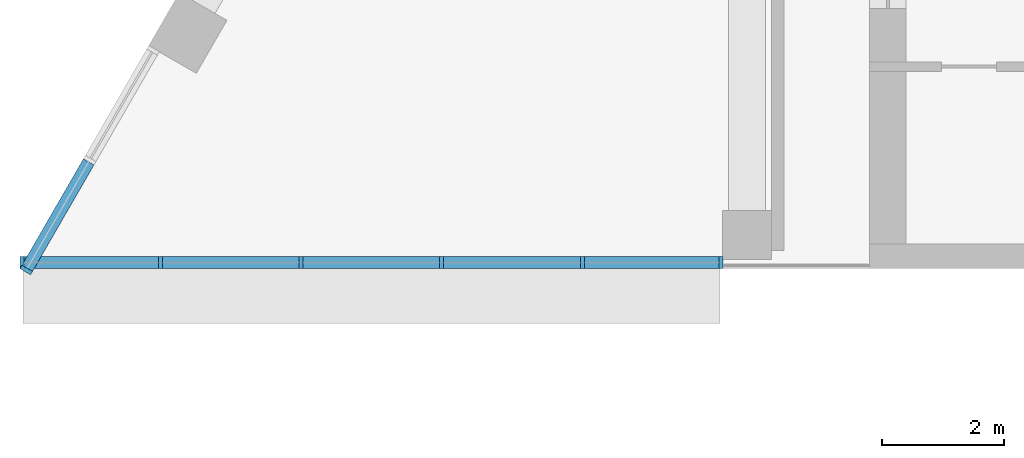
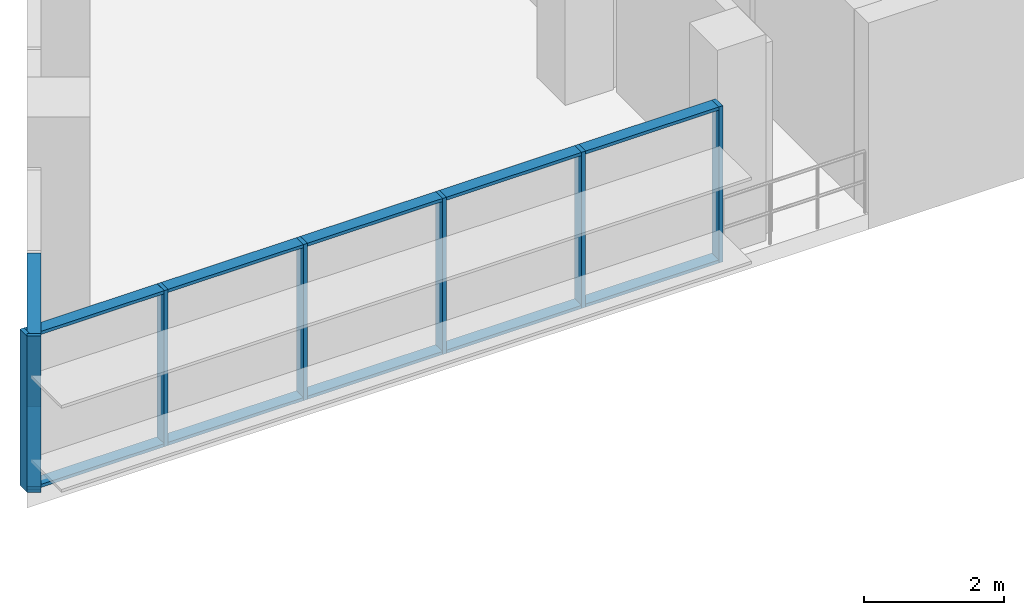
# One storey, part 3 of 15: 19 members, 2 elements without a shape of their own.
"""IFC4 building model written with IfcOpenShell, lengths in metres."""

from ifc_helpers import new_model, si_unit, direction, frame, origin, origin_2d, place, context, subcontext, project, spatial, rectangle, extrude, material, layer, layer_set, material_profile, profile_set, type_object, element, aggregate, save


model = new_model("IFC4")

# Units and contexts
model_context = context("Model", 3, precision=1e-05, world=origin(), true_north=direction((0.0, 1.0)))
body_context = subcontext(model_context, "Body", "Model", "MODEL_VIEW")
ifc_project = project(units=[si_unit("LENGTHUNIT", "METRE"), si_unit("AREAUNIT", "SQUARE_METRE"), si_unit("VOLUMEUNIT", "CUBIC_METRE"), si_unit("PLANEANGLEUNIT", "RADIAN"), si_unit("MASSUNIT", "GRAM", prefix="KILO")], contexts=[model_context])

# Site, building, storey
site_placement = place(None, origin())
site = spatial("IfcSite", under=ifc_project, at=site_placement, CompositionType="ELEMENT")
building_placement = place(site_placement, origin())
building = spatial("IfcBuilding", under=site, at=building_placement, Name="Nakaniwa Court", CompositionType="ELEMENT")
storey_placement = place(building_placement, frame((0.0, 0.0, 283.199951171875)))
storey = spatial("IfcBuildingStorey", under=building, at=storey_placement, Name="C04", CompositionType="ELEMENT", Elevation=283.199951171875)

# Curtain wall, member
ifc_material_1 = material(Name="Black anodised aluminium frame with dark low-E laminated double glazing", Category="aluminium")
ifc_layer = layer(ifc_material_1, 0.199951171875)
ifc_layer_set = layer_set([ifc_layer], Name="Black anodised aluminium frame with dark low-E laminated double glazing")
curtain_wall_type = type_object("IfcCurtainWallType", Name="Crown curtain wall", PredefinedType="NOTDEFINED", material=ifc_layer_set)
curtain_wall_1_placement = place(storey_placement, origin())
curtain_wall_1 = element("IfcCurtainWall", 1, at=curtain_wall_1_placement, inside=storey, type_object=curtain_wall_type, Name="C04 curtain wall CW4 15", PredefinedType="NOTDEFINED")
ifc_material_2 = material(Name="Black anodised aluminium extrusion", Category="aluminium")
ifc_material_profile_1 = material_profile(ifc_material_2, rectangle(XDim=0.199951171875, YDim=0.06494140625, at=origin_2d()), Name="Crown curtain wall mullion 65x200")
ifc_profile_set_1 = profile_set([ifc_material_profile_1], Name="Black anodised aluminium extrusion")
member_type_1 = type_object("IfcMemberType", Name="Crown curtain wall mullion 65x200", PredefinedType="MULLION", material=ifc_profile_set_1)
member_1_placement = place(storey_placement, frame((58.22119140625, 87.378173828125, 0.0), z_axis=(0.0, 0.0, 1.0), x_axis=(0.866021000852, -0.500007626024, 0.0)))
member_1 = element("IfcMember", 2, at=member_1_placement, type_object=member_type_1, Name="CW4 mullion 3", PredefinedType="MULLION", context=body_context, shape_type="SweptSolid", body=[
    extrude(rectangle(XDim=0.199951171875, YDim=0.06494140625, at=origin_2d()), origin(), (0.0, 0.0, 1.0), 2.72509765625),
])

# Curtain wall, members
curtain_wall_2_placement = place(storey_placement, origin())
curtain_wall_2 = element("IfcCurtainWall", 3, at=curtain_wall_2_placement, inside=storey, type_object=curtain_wall_type, Name="C04 curtain wall CW4 16", PredefinedType="NOTDEFINED")
member_2_placement = place(storey_placement, frame((58.15087890625, 87.5, 0.0), z_axis=(0.0, 0.0, 1.0), x_axis=(0.0, 1.0, 0.0)))
member_2 = element("IfcMember", 4, at=member_2_placement, type_object=member_type_1, Name="CW4 mullion 1", PredefinedType="MULLION", context=body_context, shape_type="SweptSolid", body=[
    extrude(rectangle(XDim=0.199951171875, YDim=0.06494140625, at=origin_2d()), origin(), (0.0, 0.0, 1.0), 2.72509765625),
])
member_3_placement = place(storey_placement, frame((60.41552734375, 87.5, 0.0), z_axis=(0.0, 0.0, 1.0), x_axis=(0.0, 1.0, 0.0)))
member_3 = element("IfcMember", 5, at=member_3_placement, type_object=member_type_1, Name="CW4 mullion 2", PredefinedType="MULLION", context=body_context, shape_type="SweptSolid", body=[
    extrude(rectangle(XDim=0.199951171875, YDim=0.06494140625, at=origin_2d()), origin(), (0.0, 0.0, 1.0), 2.72509765625),
])
member_4_placement = place(storey_placement, frame((62.712646484375, 87.5, 0.0), z_axis=(0.0, 0.0, 1.0), x_axis=(0.0, 1.0, 0.0)))
member_4 = element("IfcMember", 6, at=member_4_placement, type_object=member_type_1, Name="CW4 mullion 3", PredefinedType="MULLION", context=body_context, shape_type="SweptSolid", body=[
    extrude(rectangle(XDim=0.199951171875, YDim=0.06494140625, at=origin_2d()), origin(), (0.0, 0.0, 1.0), 2.72509765625),
])
member_5_placement = place(storey_placement, frame((65.009765625, 87.5, 0.0), z_axis=(0.0, 0.0, 1.0), x_axis=(0.0, 1.0, 0.0)))
member_5 = element("IfcMember", 7, at=member_5_placement, type_object=member_type_1, Name="CW4 mullion 4", PredefinedType="MULLION", context=body_context, shape_type="SweptSolid", body=[
    extrude(rectangle(XDim=0.199951171875, YDim=0.06494140625, at=origin_2d()), origin(), (0.0, 0.0, 1.0), 2.72509765625),
])
member_6_placement = place(storey_placement, frame((67.306884765625, 87.5, 0.0), z_axis=(0.0, 0.0, 1.0), x_axis=(0.0, 1.0, 0.0)))
member_6 = element("IfcMember", 8, at=member_6_placement, type_object=member_type_1, Name="CW4 mullion 5", PredefinedType="MULLION", context=body_context, shape_type="SweptSolid", body=[
    extrude(rectangle(XDim=0.199951171875, YDim=0.06494140625, at=origin_2d()), origin(), (0.0, 0.0, 1.0), 2.72509765625),
])
member_7_placement = place(storey_placement, frame((69.571533203125, 87.5, 0.0), z_axis=(0.0, 0.0, 1.0), x_axis=(0.0, 1.0, 0.0)))
member_7 = element("IfcMember", 9, at=member_7_placement, type_object=member_type_1, Name="CW4 mullion 6", PredefinedType="MULLION", context=body_context, shape_type="SweptSolid", body=[
    extrude(rectangle(XDim=0.199951171875, YDim=0.06494140625, at=origin_2d()), origin(), (0.0, 0.0, 1.0), 2.72509765625),
])

# Member
ifc_material_profile_2 = material_profile(ifc_material_2, rectangle(XDim=0.199951171875, YDim=0.054931640625, at=origin_2d()), Name="Crown curtain wall transom 55x200")
ifc_profile_set_2 = profile_set([ifc_material_profile_2], Name="Black anodised aluminium extrusion")
member_type_2 = type_object("IfcMemberType", Name="Crown curtain wall transom 55x200", PredefinedType="USERDEFINED", material=ifc_profile_set_2)
member_8_placement = place(storey_placement, frame((59.240966796875, 89.14453125, 0.027587890625), z_axis=(-0.499933044277, -0.866064057238, 0.0), x_axis=(0.866064057238, -0.499933044277, 0.0)))
member_8 = element("IfcMember", 10, at=member_8_placement, type_object=member_type_2, Name="CW4 transom 2.1", ObjectType="TRANSOM", PredefinedType="USERDEFINED", context=body_context, shape_type="SweptSolid", body=[
    extrude(rectangle(XDim=0.199951171875, YDim=0.054931640625, at=origin_2d()), origin(), (0.0, 0.0, 1.0), 2.007080078125),
])

member_9_placement = place(storey_placement, frame((59.240966796875, 89.14453125, 2.697509765625), z_axis=(-0.499933044277, -0.866064057238, 0.0), x_axis=(0.866064057238, -0.499933044277, 0.0)))
member_9 = element("IfcMember", 11, at=member_9_placement, type_object=member_type_2, Name="CW4 transom 2.2", ObjectType="TRANSOM", PredefinedType="USERDEFINED", context=body_context, shape_type="SweptSolid", body=[
    extrude(rectangle(XDim=0.199951171875, YDim=0.054931640625, at=origin_2d()), origin(), (0.0, 0.0, 1.0), 2.007080078125),
])

aggregate(curtain_wall_1, [member_1, member_8, member_9])

member_10_placement = place(storey_placement, frame((58.183349609375, 87.5, 0.027587890625), z_axis=(1.0, 0.0, 0.0), x_axis=(0.0, 1.0, 0.0)))
member_10 = element("IfcMember", 12, at=member_10_placement, type_object=member_type_2, Name="CW4 transom 1.1", ObjectType="TRANSOM", PredefinedType="USERDEFINED", context=body_context, shape_type="SweptSolid", body=[
    extrude(rectangle(XDim=0.199951171875, YDim=0.054931640625, at=origin_2d()), origin(), (0.0, 0.0, 1.0), 2.19970703125),
])

member_11_placement = place(storey_placement, frame((58.183349609375, 87.5, 2.697509765625), z_axis=(1.0, 0.0, 0.0), x_axis=(0.0, 1.0, 0.0)))
member_11 = element("IfcMember", 13, at=member_11_placement, type_object=member_type_2, Name="CW4 transom 1.2", ObjectType="TRANSOM", PredefinedType="USERDEFINED", context=body_context, shape_type="SweptSolid", body=[
    extrude(rectangle(XDim=0.199951171875, YDim=0.054931640625, at=origin_2d()), origin(), (0.0, 0.0, 1.0), 2.19970703125),
])

member_12_placement = place(storey_placement, frame((60.447998046875, 87.5, 0.027587890625), z_axis=(1.0, 0.0, 0.0), x_axis=(0.0, 1.0, 0.0)))
member_12 = element("IfcMember", 14, at=member_12_placement, type_object=member_type_2, Name="CW4 transom 2.1", ObjectType="TRANSOM", PredefinedType="USERDEFINED", context=body_context, shape_type="SweptSolid", body=[
    extrude(rectangle(XDim=0.199951171875, YDim=0.054931640625, at=origin_2d()), origin(), (0.0, 0.0, 1.0), 2.232177734375),
])

member_13_placement = place(storey_placement, frame((60.447998046875, 87.5, 2.697509765625), z_axis=(1.0, 0.0, 0.0), x_axis=(0.0, 1.0, 0.0)))
member_13 = element("IfcMember", 15, at=member_13_placement, type_object=member_type_2, Name="CW4 transom 2.2", ObjectType="TRANSOM", PredefinedType="USERDEFINED", context=body_context, shape_type="SweptSolid", body=[
    extrude(rectangle(XDim=0.199951171875, YDim=0.054931640625, at=origin_2d()), origin(), (0.0, 0.0, 1.0), 2.232177734375),
])

member_14_placement = place(storey_placement, frame((62.7451171875, 87.5, 0.027587890625), z_axis=(1.0, 0.0, 0.0), x_axis=(0.0, 1.0, 0.0)))
member_14 = element("IfcMember", 16, at=member_14_placement, type_object=member_type_2, Name="CW4 transom 3.1", ObjectType="TRANSOM", PredefinedType="USERDEFINED", context=body_context, shape_type="SweptSolid", body=[
    extrude(rectangle(XDim=0.199951171875, YDim=0.054931640625, at=origin_2d()), origin(), (0.0, 0.0, 1.0), 2.232177734375),
])

member_15_placement = place(storey_placement, frame((62.7451171875, 87.5, 2.697509765625), z_axis=(1.0, 0.0, 0.0), x_axis=(0.0, 1.0, 0.0)))
member_15 = element("IfcMember", 17, at=member_15_placement, type_object=member_type_2, Name="CW4 transom 3.2", ObjectType="TRANSOM", PredefinedType="USERDEFINED", context=body_context, shape_type="SweptSolid", body=[
    extrude(rectangle(XDim=0.199951171875, YDim=0.054931640625, at=origin_2d()), origin(), (0.0, 0.0, 1.0), 2.232177734375),
])

member_16_placement = place(storey_placement, frame((65.042236328125, 87.5, 0.027587890625), z_axis=(1.0, 0.0, 0.0), x_axis=(0.0, 1.0, 0.0)))
member_16 = element("IfcMember", 18, at=member_16_placement, type_object=member_type_2, Name="CW4 transom 4.1", ObjectType="TRANSOM", PredefinedType="USERDEFINED", context=body_context, shape_type="SweptSolid", body=[
    extrude(rectangle(XDim=0.199951171875, YDim=0.054931640625, at=origin_2d()), origin(), (0.0, 0.0, 1.0), 2.232177734375),
])

member_17_placement = place(storey_placement, frame((65.042236328125, 87.5, 2.697509765625), z_axis=(1.0, 0.0, 0.0), x_axis=(0.0, 1.0, 0.0)))
member_17 = element("IfcMember", 19, at=member_17_placement, type_object=member_type_2, Name="CW4 transom 4.2", ObjectType="TRANSOM", PredefinedType="USERDEFINED", context=body_context, shape_type="SweptSolid", body=[
    extrude(rectangle(XDim=0.199951171875, YDim=0.054931640625, at=origin_2d()), origin(), (0.0, 0.0, 1.0), 2.232177734375),
])

member_18_placement = place(storey_placement, frame((67.33935546875, 87.5, 0.027587890625), z_axis=(1.0, 0.0, 0.0), x_axis=(0.0, 1.0, 0.0)))
member_18 = element("IfcMember", 20, at=member_18_placement, type_object=member_type_2, Name="CW4 transom 5.1", ObjectType="TRANSOM", PredefinedType="USERDEFINED", context=body_context, shape_type="SweptSolid", body=[
    extrude(rectangle(XDim=0.199951171875, YDim=0.054931640625, at=origin_2d()), origin(), (0.0, 0.0, 1.0), 2.19970703125),
])

member_19_placement = place(storey_placement, frame((67.33935546875, 87.5, 2.697509765625), z_axis=(1.0, 0.0, 0.0), x_axis=(0.0, 1.0, 0.0)))
member_19 = element("IfcMember", 21, at=member_19_placement, type_object=member_type_2, Name="CW4 transom 5.2", ObjectType="TRANSOM", PredefinedType="USERDEFINED", context=body_context, shape_type="SweptSolid", body=[
    extrude(rectangle(XDim=0.199951171875, YDim=0.054931640625, at=origin_2d()), origin(), (0.0, 0.0, 1.0), 2.19970703125),
])

aggregate(curtain_wall_2, [member_2, member_3, member_4, member_5, member_6, member_7, member_10, member_11, member_12, member_13, member_14, member_15, member_16, member_17, member_18, member_19])

save(model, "model.ifc")
